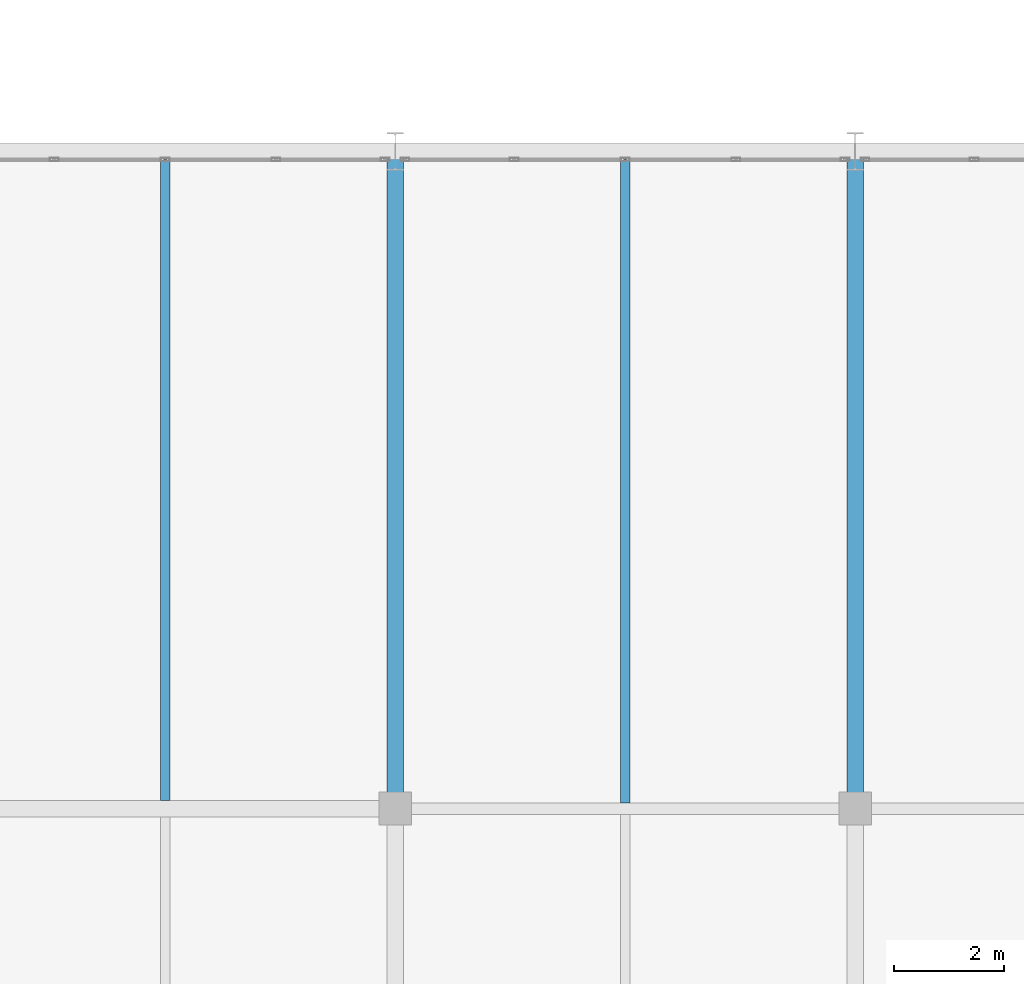
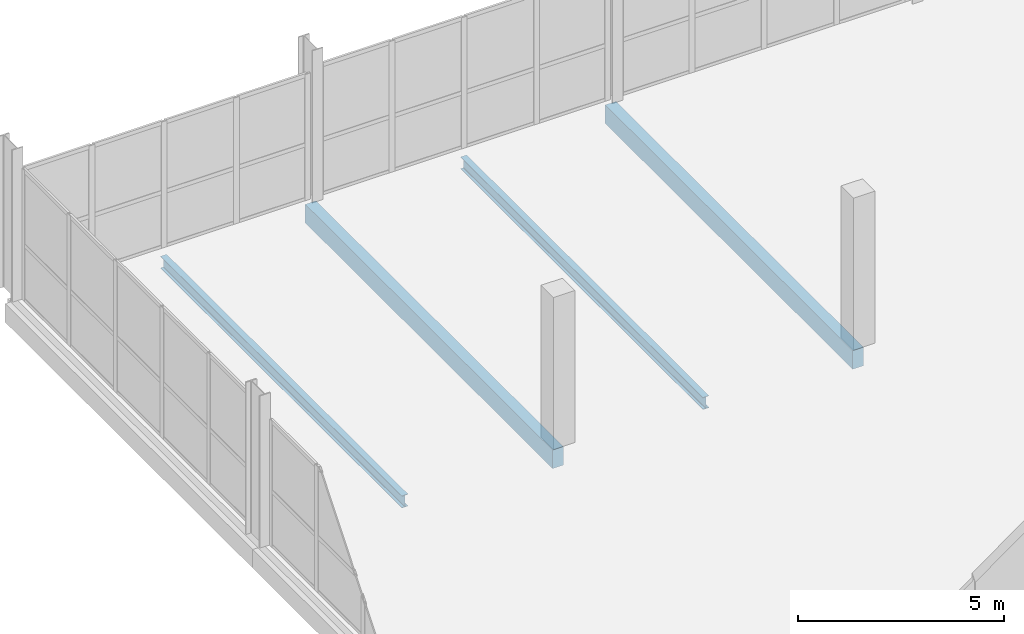
# One storey, part 81 of 113: 4 beams.
"""IFC4 building model written with IfcOpenShell, lengths in metres."""

from ifc_helpers import new_model, si_unit, direction, frame, origin, origin_2d, place, context, subcontext, project, spatial, rectangle, i_section, extrude, material, material_profile, profile_set, type_object, element, save


model = new_model("IFC4")

# Units and contexts
model_context = context("Model", 3, precision=1e-05, world=origin(), true_north=direction((0.0, 1.0)))
body_context = subcontext(model_context, "Body", "Model", "MODEL_VIEW")
ifc_project = project(units=[si_unit("LENGTHUNIT", "METRE"), si_unit("AREAUNIT", "SQUARE_METRE"), si_unit("VOLUMEUNIT", "CUBIC_METRE"), si_unit("PLANEANGLEUNIT", "RADIAN"), si_unit("MASSUNIT", "GRAM", prefix="KILO")], contexts=[model_context])

# Site, building, storey
site_placement = place(None, origin())
site = spatial("IfcSite", under=ifc_project, at=site_placement, CompositionType="ELEMENT")
building_placement = place(site_placement, origin())
building = spatial("IfcBuilding", under=site, at=building_placement, Name="Veltarok Museum of Natural Sciences", CompositionType="ELEMENT")
storey_placement = place(building_placement, frame((0.0, 0.0, 8.39990234375)))
storey = spatial("IfcBuildingStorey", under=building, at=storey_placement, Name="L01", CompositionType="ELEMENT", Elevation=8.39990234375)

# Beams
ifc_material_1 = material(Name="Precast concrete C40/50", Category="concrete")
ifc_material_profile_1 = material_profile(ifc_material_1, rectangle(XDim=0.300048828125, YDim=0.550048828125, at=origin_2d()), Name="RC 300x550")
ifc_profile_set_1 = profile_set([ifc_material_profile_1], Name="Precast concrete C40/50")
beam_type_1 = type_object("IfcBeamType", Name="East Wing Precast Spandrel RC 300x550", PredefinedType="SPANDREL", material=ifc_profile_set_1)
for number, where, z_axis, x_axis, name in (
    (1, (140.800048828125, 60.0, -0.52490234375), (0.0, 1.0, 0.0), (-1.0, 0.0, 0.0), "Beam BM-SP02 L01 17/G-H"),
    (2, (149.199951171875, 60.0, -0.52490234375), (0.0, 1.0, 0.0), (-1.0, 0.0, 0.0), "Beam BM-SP02 L01 18/G-H"),
):
    element("IfcBeam", number, at=place(storey_placement, frame(where, z_axis=z_axis, x_axis=x_axis)), inside=storey, type_object=beam_type_1, Name=name, PredefinedType="SPANDREL", context=body_context, shape_type="SweptSolid", body=[
        extrude(rectangle(XDim=0.300048828125, YDim=0.550048828125, at=origin_2d()), origin(), (0.0, 0.0, 1.0), 12.0),
    ])
ifc_material_2 = material(Name="Steel S355J2", Category="steel")
ifc_material_profile_2 = material_profile(ifc_material_2, i_section(OverallWidth=0.169921875, OverallDepth=0.360107421875, WebThickness=0.008056640625, FlangeThickness=0.0126953125, FilletRadius=0.01806640625, at=origin_2d()), Name="IPE 360")
ifc_profile_set_2 = profile_set([ifc_material_profile_2], Name="Steel S355J2")
beam_type_2 = type_object("IfcBeamType", Name="Long-Bay Composite Joist IPE 360", PredefinedType="JOIST", material=ifc_profile_set_2)
beam_1_placement = place(storey_placement, frame((136.60009765625, 60.14794921875, -0.429931640625), z_axis=(0.0, 1.0, 0.0), x_axis=(-1.0, 0.0, 0.0)))
element("IfcBeam", 3, at=beam_1_placement, inside=storey, type_object=beam_type_2, Name="Secondary Joist BM-J01 L01 16-17/G-H.1", PredefinedType="JOIST", context=body_context, shape_type="SweptSolid", body=[
    extrude(i_section(OverallWidth=0.169921875, OverallDepth=0.360107421875, WebThickness=0.008056640625, FlangeThickness=0.0126953125, FilletRadius=0.01806640625, at=origin_2d()), origin(), (0.0, 0.0, 1.0), 11.7041015625),
])
beam_2_placement = place(storey_placement, frame((145.0, 60.10302734375, -0.429931640625), z_axis=(0.0, 1.0, 0.0), x_axis=(-1.0, 0.0, 0.0)))
element("IfcBeam", 4, at=beam_2_placement, inside=storey, type_object=beam_type_2, Name="Secondary Joist BM-J01 L01 17-18/G-H.1", PredefinedType="JOIST", context=body_context, shape_type="SweptSolid", body=[
    extrude(i_section(OverallWidth=0.169921875, OverallDepth=0.360107421875, WebThickness=0.008056640625, FlangeThickness=0.0126953125, FilletRadius=0.01806640625, at=origin_2d()), origin(), (0.0, 0.0, 1.0), 11.7490234375),
])

save(model, "model.ifc")
